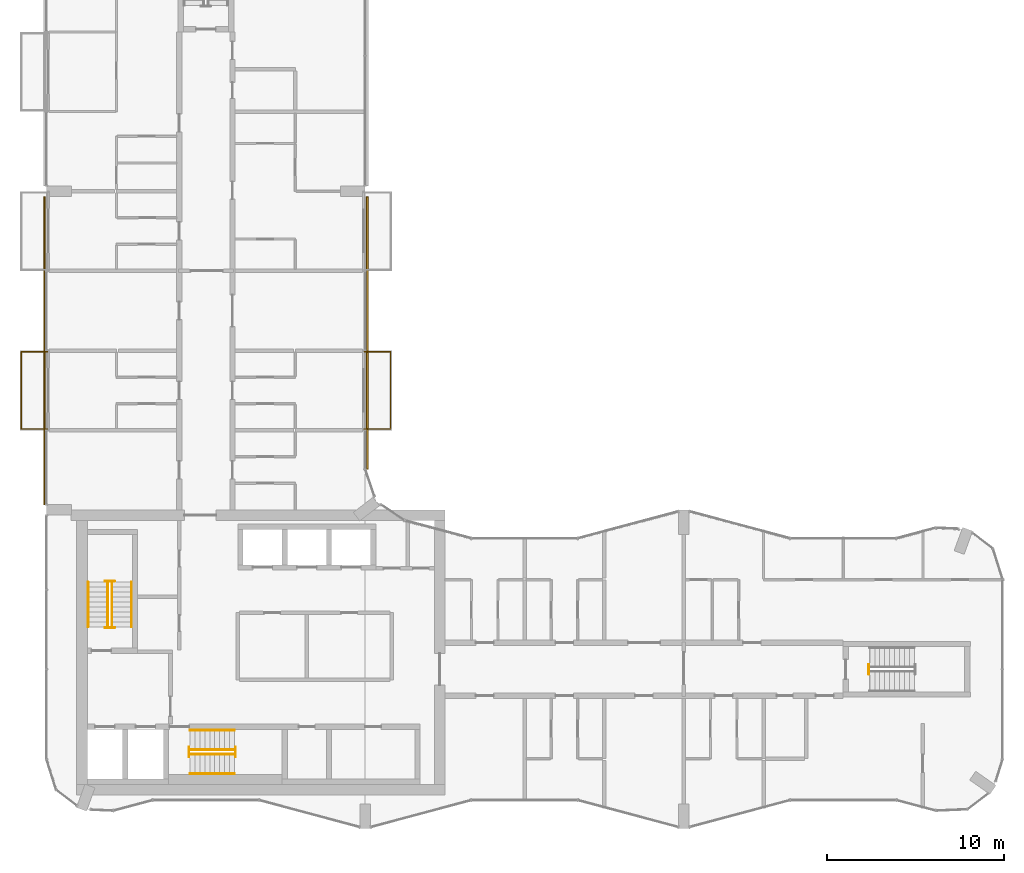
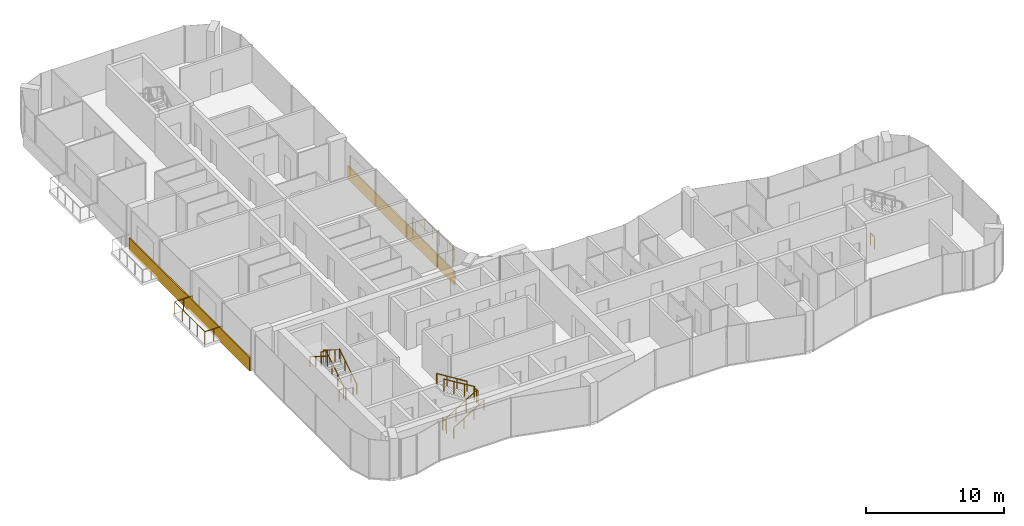
# One storey, part 14 of 16: 15 railings, 2 coverings.
"""IFC4 building model written with IfcOpenShell, lengths in metres."""

from ifc_helpers import new_model, si_unit, direction, frame, origin, origin_2d, place, context, subcontext, project, spatial, rectangle, circle, extrude, material, layer, layer_set, type_object, element, save


model = new_model("IFC4")

# Units and contexts
model_context = context("Model", 3, precision=1e-05, world=origin(), true_north=direction((0.0, 1.0)))
body_context = subcontext(model_context, "Body", "Model", "MODEL_VIEW")
ifc_project = project(units=[si_unit("LENGTHUNIT", "METRE"), si_unit("AREAUNIT", "SQUARE_METRE"), si_unit("VOLUMEUNIT", "CUBIC_METRE"), si_unit("PLANEANGLEUNIT", "RADIAN"), si_unit("MASSUNIT", "GRAM", prefix="KILO")], contexts=[model_context])

# Site, building, storey
site_placement = place(None, origin())
site = spatial("IfcSite", under=ifc_project, at=site_placement, CompositionType="ELEMENT")
building_placement = place(site_placement, origin())
building = spatial("IfcBuilding", under=site, at=building_placement, Name="Plateau Cross Towers", CompositionType="ELEMENT")
storey_placement = place(building_placement, frame((0.0, 0.0, 163.89990234375)))
storey = spatial("IfcBuildingStorey", under=building, at=storey_placement, Name="L42", CompositionType="ELEMENT", Elevation=163.89990234375)

# Railings
ifc_material_1 = material(Name="Stainless steel and toughened glass", Category="steel")
railing_type_1 = type_object("IfcRailingType", Name="Glass balustrade guard 1100", PredefinedType="GUARDRAIL", material=ifc_material_1)
railing_1_placement = place(storey_placement, frame((0.050048828125, 22.570068359375, 0.0)))
element("IfcRailing", 1, at=railing_1_placement, inside=storey, type_object=railing_type_1, Name="Guard guard1", PredefinedType="GUARDRAIL", context=body_context, shape_type="SweptSolid", body=[
    extrude(circle(Radius=0.02392578125, at=origin_2d()), frame((0.0, 0.0, 1.076171875), z_axis=(-1.0, 0.0, 0.0), x_axis=(0.0, -1.0, 0.0)), (0.0, 0.0, 1.0), 1.47998046875),
    extrude(circle(Radius=0.02392578125, at=origin_2d()), frame((-1.47998046875, 0.0, 1.076171875), z_axis=(0.0, 1.0, 0.0), x_axis=(-1.0, 0.0, 0.0)), (0.0, 0.0, 1.0), 4.35986328125),
    extrude(circle(Radius=0.02392578125, at=origin_2d()), frame((-1.47998046875, 4.35986328125, 1.076171875), z_axis=(1.0, 0.0, 0.0), x_axis=(0.0, 1.0, 0.0)), (0.0, 0.0, 1.0), 1.47998046875),
    extrude(circle(Radius=0.02099609375, at=origin_2d()), origin(), (0.0, 0.0, 1.0), 1.052001953125),
    extrude(circle(Radius=0.02099609375, at=origin_2d()), frame((-0.739990234375, 0.0, 0.0)), (0.0, 0.0, 1.0), 1.052001953125),
    extrude(circle(Radius=0.02099609375, at=origin_2d()), frame((-1.47998046875, 0.0, 0.0)), (0.0, 0.0, 1.0), 1.052001953125),
    extrude(circle(Radius=0.02099609375, at=origin_2d()), frame((-1.47998046875, 1.08984375, 0.0)), (0.0, 0.0, 1.0), 1.052001953125),
    extrude(circle(Radius=0.02099609375, at=origin_2d()), frame((-1.47998046875, 2.179931640625, 0.0)), (0.0, 0.0, 1.0), 1.052001953125),
    extrude(circle(Radius=0.02099609375, at=origin_2d()), frame((-1.47998046875, 3.27001953125, 0.0)), (0.0, 0.0, 1.0), 1.052001953125),
    extrude(circle(Radius=0.02099609375, at=origin_2d()), frame((-1.47998046875, 4.35986328125, 0.0)), (0.0, 0.0, 1.0), 1.052001953125),
    extrude(circle(Radius=0.02099609375, at=origin_2d()), frame((-0.739990234375, 4.35986328125, 0.0)), (0.0, 0.0, 1.0), 1.052001953125),
    extrude(circle(Radius=0.02099609375, at=origin_2d()), frame((0.0, 4.35986328125, 0.0)), (0.0, 0.0, 1.0), 1.052001953125),
])
railing_2_placement = place(storey_placement, frame((17.949951171875, 26.929931640625, 0.0)))
element("IfcRailing", 2, at=railing_2_placement, inside=storey, type_object=railing_type_1, Name="Guard guard1", PredefinedType="GUARDRAIL", context=body_context, shape_type="SweptSolid", body=[
    extrude(circle(Radius=0.02392578125, at=origin_2d()), frame((0.0, 0.0, 1.076171875), z_axis=(1.0, 0.0, 0.0), x_axis=(0.0, 1.0, 0.0)), (0.0, 0.0, 1.0), 1.47998046875),
    extrude(circle(Radius=0.02392578125, at=origin_2d()), frame((1.47998046875, 0.0, 1.076171875), z_axis=(0.0, -1.0, 0.0), x_axis=(1.0, 0.0, 0.0)), (0.0, 0.0, 1.0), 4.35986328125),
    extrude(circle(Radius=0.02392578125, at=origin_2d()), frame((1.47998046875, -4.35986328125, 1.076171875), z_axis=(-1.0, 0.0, 0.0), x_axis=(0.0, -1.0, 0.0)), (0.0, 0.0, 1.0), 1.47998046875),
    extrude(circle(Radius=0.02099609375, at=origin_2d()), origin(), (0.0, 0.0, 1.0), 1.052001953125),
    extrude(circle(Radius=0.02099609375, at=origin_2d()), frame((0.739990234375, 0.0, 0.0)), (0.0, 0.0, 1.0), 1.052001953125),
    extrude(circle(Radius=0.02099609375, at=origin_2d()), frame((1.47998046875, 0.0, 0.0)), (0.0, 0.0, 1.0), 1.052001953125),
    extrude(circle(Radius=0.02099609375, at=origin_2d()), frame((1.47998046875, -1.08984375, 0.0)), (0.0, 0.0, 1.0), 1.052001953125),
    extrude(circle(Radius=0.02099609375, at=origin_2d()), frame((1.47998046875, -2.179931640625, 0.0)), (0.0, 0.0, 1.0), 1.052001953125),
    extrude(circle(Radius=0.02099609375, at=origin_2d()), frame((1.47998046875, -3.27001953125, 0.0)), (0.0, 0.0, 1.0), 1.052001953125),
    extrude(circle(Radius=0.02099609375, at=origin_2d()), frame((1.47998046875, -4.35986328125, 0.0)), (0.0, 0.0, 1.0), 1.052001953125),
    extrude(circle(Radius=0.02099609375, at=origin_2d()), frame((0.739990234375, -4.35986328125, 0.0)), (0.0, 0.0, 1.0), 1.052001953125),
    extrude(circle(Radius=0.02099609375, at=origin_2d()), frame((0.0, -4.35986328125, 0.0)), (0.0, 0.0, 1.0), 1.052001953125),
])
railing_type_2 = type_object("IfcRailingType", Name="RL-GUARD-1100", PredefinedType="GUARDRAIL", material=ifc_material_1)
railing_3_placement = place(storey_placement, frame((3.699951171875, 11.39990234375, 0.175048828125)))
element("IfcRailing", 3, at=railing_3_placement, inside=storey, type_object=railing_type_2, Name="L42 ST-1 stair guard 1", PredefinedType="GUARDRAIL", context=body_context, shape_type="SweptSolid", body=[
    extrude(circle(Radius=0.02392578125, at=origin_2d()), frame((0.0, 0.0, 1.076171875), z_axis=(0.0, 0.848007534815, 0.529984170421), x_axis=(-1.0, 0.0, 0.0)), (0.0, 0.0, 1.0), 2.9716796875),
    extrude(circle(Radius=0.02099609375, at=origin_2d()), origin(), (0.0, 0.0, 1.0), 1.052001953125),
    extrude(circle(Radius=0.02099609375, at=origin_2d()), frame((0.0, 0.840087890625, 0.52490234375)), (0.0, 0.0, 1.0), 1.052001953125),
    extrude(circle(Radius=0.02099609375, at=origin_2d()), frame((0.0, 1.679931640625, 1.050048828125)), (0.0, 0.0, 1.0), 1.052001953125),
    extrude(circle(Radius=0.02099609375, at=origin_2d()), frame((0.0, 2.52001953125, 1.574951171875)), (0.0, 0.0, 1.0), 1.052001953125),
])
railing_4_placement = place(storey_placement, frame((3.85009765625, 13.969970703125, 1.75)))
element("IfcRailing", 4, at=railing_4_placement, inside=storey, type_object=railing_type_2, Name="L42 ST-1 stair guard 2", PredefinedType="GUARDRAIL", context=body_context, shape_type="SweptSolid", body=[
    extrude(circle(Radius=0.02392578125, at=origin_2d()), frame((0.0, 0.0, 1.076171875), z_axis=(-1.0, 0.0, 0.0), x_axis=(0.0, -1.0, 0.0)), (0.0, 0.0, 1.0), 0.550048828125),
    extrude(circle(Radius=0.02099609375, at=origin_2d()), origin(), (0.0, 0.0, 1.0), 1.052001953125),
    extrude(circle(Radius=0.02099609375, at=origin_2d()), frame((-0.550048828125, 0.0, 0.0)), (0.0, 0.0, 1.0), 1.052001953125),
])
railing_5_placement = place(storey_placement, frame((3.449951171875, 13.919921875, 1.925048828125)))
element("IfcRailing", 5, at=railing_5_placement, inside=storey, type_object=railing_type_2, Name="L42 ST-1 stair guard 3", PredefinedType="GUARDRAIL", context=body_context, shape_type="SweptSolid", body=[
    extrude(circle(Radius=0.02392578125, at=origin_2d()), frame((0.0, 0.0, 1.076171875), z_axis=(0.0, -0.852616386126, 0.522537365276), x_axis=(1.0, 0.0, 0.0)), (0.0, 0.0, 1.0), 3.01416015625),
    extrude(circle(Radius=0.02099609375, at=origin_2d()), origin(), (0.0, 0.0, 1.0), 1.052001953125),
    extrude(circle(Radius=0.02099609375, at=origin_2d()), frame((0.0, -0.856689453125, 0.52490234375)), (0.0, 0.0, 1.0), 1.052001953125),
    extrude(circle(Radius=0.02099609375, at=origin_2d()), frame((0.0, -1.713134765625, 1.050048828125)), (0.0, 0.0, 1.0), 1.052001953125),
    extrude(circle(Radius=0.02099609375, at=origin_2d()), frame((0.0, -2.56982421875, 1.574951171875)), (0.0, 0.0, 1.0), 1.052001953125),
])
railing_6_placement = place(storey_placement, frame((3.85009765625, 11.35009765625, 0.0)))
element("IfcRailing", 6, at=railing_6_placement, inside=storey, type_object=railing_type_2, Name="L42 ST-1 stair guard 4", PredefinedType="GUARDRAIL", context=body_context, shape_type="SweptSolid", body=[
    extrude(circle(Radius=0.02392578125, at=origin_2d()), frame((0.0, 0.0, 1.076171875), z_axis=(-1.0, 0.0, 0.0), x_axis=(0.0, -1.0, 0.0)), (0.0, 0.0, 1.0), 0.550048828125),
    extrude(circle(Radius=0.02099609375, at=origin_2d()), origin(), (0.0, 0.0, 1.0), 1.052001953125),
    extrude(circle(Radius=0.02099609375, at=origin_2d()), frame((-0.550048828125, 0.0, 0.0)), (0.0, 0.0, 1.0), 1.052001953125),
])
railing_7_placement = place(storey_placement, frame((8.10009765625, 4.199951171875, 0.175048828125)))
element("IfcRailing", 7, at=railing_7_placement, inside=storey, type_object=railing_type_2, Name="L42 ST-2 stair guard 1", PredefinedType="GUARDRAIL", context=body_context, shape_type="SweptSolid", body=[
    extrude(circle(Radius=0.02392578125, at=origin_2d()), frame((0.0, 0.0, 1.076171875), z_axis=(0.848007534815, 0.0, 0.529984170421), x_axis=(0.0, 1.0, 0.0)), (0.0, 0.0, 1.0), 2.9716796875),
    extrude(circle(Radius=0.02099609375, at=origin_2d()), origin(), (0.0, 0.0, 1.0), 1.052001953125),
    extrude(circle(Radius=0.02099609375, at=origin_2d()), frame((0.840087890625, 0.0, 0.52490234375)), (0.0, 0.0, 1.0), 1.052001953125),
    extrude(circle(Radius=0.02099609375, at=origin_2d()), frame((1.679931640625, 0.0, 1.050048828125)), (0.0, 0.0, 1.0), 1.052001953125),
    extrude(circle(Radius=0.02099609375, at=origin_2d()), frame((2.52001953125, 0.0, 1.574951171875)), (0.0, 0.0, 1.0), 1.052001953125),
])
railing_8_placement = place(storey_placement, frame((10.669921875, 4.050048828125, 1.75)))
element("IfcRailing", 8, at=railing_8_placement, inside=storey, type_object=railing_type_2, Name="L42 ST-2 stair guard 2", PredefinedType="GUARDRAIL", context=body_context, shape_type="SweptSolid", body=[
    extrude(circle(Radius=0.02392578125, at=origin_2d()), frame((0.0, 0.0, 1.076171875), z_axis=(0.0, 1.0, 0.0), x_axis=(-1.0, 0.0, 0.0)), (0.0, 0.0, 1.0), 0.550048828125),
    extrude(circle(Radius=0.02099609375, at=origin_2d()), origin(), (0.0, 0.0, 1.0), 1.052001953125),
    extrude(circle(Radius=0.02099609375, at=origin_2d()), frame((0.0, 0.550048828125, 0.0)), (0.0, 0.0, 1.0), 1.052001953125),
])
railing_9_placement = place(storey_placement, frame((10.6201171875, 4.449951171875, 1.925048828125)))
element("IfcRailing", 9, at=railing_9_placement, inside=storey, type_object=railing_type_2, Name="L42 ST-2 stair guard 3", PredefinedType="GUARDRAIL", context=body_context, shape_type="SweptSolid", body=[
    extrude(circle(Radius=0.02392578125, at=origin_2d()), frame((0.0, 0.0, 1.076171875), z_axis=(-0.852638500773, 0.0, 0.522501279423), x_axis=(0.0, -1.0, 0.0)), (0.0, 0.0, 1.0), 3.01416015625),
    extrude(circle(Radius=0.02099609375, at=origin_2d()), origin(), (0.0, 0.0, 1.0), 1.052001953125),
    extrude(circle(Radius=0.02099609375, at=origin_2d()), frame((-0.856689453125, 0.0, 0.52490234375)), (0.0, 0.0, 1.0), 1.052001953125),
    extrude(circle(Radius=0.02099609375, at=origin_2d()), frame((-1.71337890625, 0.0, 1.050048828125)), (0.0, 0.0, 1.0), 1.052001953125),
    extrude(circle(Radius=0.02099609375, at=origin_2d()), frame((-2.570068359375, 0.0, 1.574951171875)), (0.0, 0.0, 1.0), 1.052001953125),
])
railing_10_placement = place(storey_placement, frame((8.050048828125, 4.050048828125, 0.0)))
element("IfcRailing", 10, at=railing_10_placement, inside=storey, type_object=railing_type_2, Name="L42 ST-2 stair guard 4", PredefinedType="GUARDRAIL", context=body_context, shape_type="SweptSolid", body=[
    extrude(circle(Radius=0.02392578125, at=origin_2d()), frame((0.0, 0.0, 1.076171875), z_axis=(0.0, 1.0, 0.0), x_axis=(-1.0, 0.0, 0.0)), (0.0, 0.0, 1.0), 0.550048828125),
    extrude(circle(Radius=0.02099609375, at=origin_2d()), origin(), (0.0, 0.0, 1.0), 1.052001953125),
    extrude(circle(Radius=0.02099609375, at=origin_2d()), frame((0.0, 0.550048828125, 0.0)), (0.0, 0.0, 1.0), 1.052001953125),
])
railing_11_placement = place(storey_placement, frame((46.449951171875, 8.72509765625, 0.0)))
element("IfcRailing", 11, at=railing_11_placement, inside=storey, type_object=railing_type_2, Name="L42 ES-E stair guard 4", PredefinedType="GUARDRAIL", context=body_context, shape_type="SweptSolid", body=[
    extrude(circle(Radius=0.02392578125, at=origin_2d()), frame((0.0, 0.0, 1.076171875), z_axis=(0.0, 1.0, 0.0), x_axis=(-1.0, 0.0, 0.0)), (0.0, 0.0, 1.0), 0.5498046875),
    extrude(circle(Radius=0.02099609375, at=origin_2d()), origin(), (0.0, 0.0, 1.0), 1.052001953125),
    extrude(circle(Radius=0.02099609375, at=origin_2d()), frame((0.0, 0.5498046875, 0.0)), (0.0, 0.0, 1.0), 1.052001953125),
])
ifc_material_2 = material(Name="Black anodised aluminium", Category="aluminium")
railing_type_3 = type_object("IfcRailingType", Name="RL-HANDRAIL-900", PredefinedType="HANDRAIL", material=ifc_material_2)
railing_12_placement = place(storey_placement, frame((4.800048828125, 11.39990234375, 0.175048828125)))
element("IfcRailing", 12, at=railing_12_placement, inside=storey, type_object=railing_type_3, Name="L42 ST-1 stair handrail 1", PredefinedType="HANDRAIL", context=body_context, shape_type="SweptSolid", body=[
    extrude(circle(Radius=0.02392578125, at=origin_2d()), frame((0.0, 0.0, 0.8759765625), z_axis=(0.0, 0.848007534815, 0.529984170421), x_axis=(-1.0, 0.0, 0.0)), (0.0, 0.0, 1.0), 2.9716796875),
    extrude(circle(Radius=0.02099609375, at=origin_2d()), origin(), (0.0, 0.0, 1.0), 0.851806640625),
    extrude(circle(Radius=0.02099609375, at=origin_2d()), frame((0.0, 0.840087890625, 0.52490234375)), (0.0, 0.0, 1.0), 0.851806640625),
    extrude(circle(Radius=0.02099609375, at=origin_2d()), frame((0.0, 1.679931640625, 1.050048828125)), (0.0, 0.0, 1.0), 0.851806640625),
    extrude(circle(Radius=0.02099609375, at=origin_2d()), frame((0.0, 2.52001953125, 1.574951171875)), (0.0, 0.0, 1.0), 0.851806640625),
])
railing_13_placement = place(storey_placement, frame((2.35009765625, 13.919921875, 1.925048828125)))
element("IfcRailing", 13, at=railing_13_placement, inside=storey, type_object=railing_type_3, Name="L42 ST-1 stair handrail 2", PredefinedType="HANDRAIL", context=body_context, shape_type="SweptSolid", body=[
    extrude(circle(Radius=0.02392578125, at=origin_2d()), frame((0.0, 0.0, 0.8759765625), z_axis=(0.0, -0.848007534815, 0.529984170421), x_axis=(1.0, 0.0, 0.0)), (0.0, 0.0, 1.0), 2.9716796875),
    extrude(circle(Radius=0.02099609375, at=origin_2d()), origin(), (0.0, 0.0, 1.0), 0.851806640625),
    extrude(circle(Radius=0.02099609375, at=origin_2d()), frame((0.0, -0.840087890625, 0.52490234375)), (0.0, 0.0, 1.0), 0.851806640625),
    extrude(circle(Radius=0.02099609375, at=origin_2d()), frame((0.0, -1.679931640625, 1.050048828125)), (0.0, 0.0, 1.0), 0.851806640625),
    extrude(circle(Radius=0.02099609375, at=origin_2d()), frame((0.0, -2.52001953125, 1.574951171875)), (0.0, 0.0, 1.0), 0.851806640625),
])
railing_14_placement = place(storey_placement, frame((8.10009765625, 3.10009765625, 0.175048828125)))
element("IfcRailing", 14, at=railing_14_placement, inside=storey, type_object=railing_type_3, Name="L42 ST-2 stair handrail 1", PredefinedType="HANDRAIL", context=body_context, shape_type="SweptSolid", body=[
    extrude(circle(Radius=0.02392578125, at=origin_2d()), frame((0.0, 0.0, 0.8759765625), z_axis=(0.848007534815, 0.0, 0.529984170421), x_axis=(0.0, 1.0, 0.0)), (0.0, 0.0, 1.0), 2.9716796875),
    extrude(circle(Radius=0.02099609375, at=origin_2d()), origin(), (0.0, 0.0, 1.0), 0.851806640625),
    extrude(circle(Radius=0.02099609375, at=origin_2d()), frame((0.840087890625, 0.0, 0.52490234375)), (0.0, 0.0, 1.0), 0.851806640625),
    extrude(circle(Radius=0.02099609375, at=origin_2d()), frame((1.679931640625, 0.0, 1.050048828125)), (0.0, 0.0, 1.0), 0.851806640625),
    extrude(circle(Radius=0.02099609375, at=origin_2d()), frame((2.52001953125, 0.0, 1.574951171875)), (0.0, 0.0, 1.0), 0.851806640625),
])
railing_15_placement = place(storey_placement, frame((10.6201171875, 5.550048828125, 1.925048828125)))
element("IfcRailing", 15, at=railing_15_placement, inside=storey, type_object=railing_type_3, Name="L42 ST-2 stair handrail 2", PredefinedType="HANDRAIL", context=body_context, shape_type="SweptSolid", body=[
    extrude(circle(Radius=0.02392578125, at=origin_2d()), frame((0.0, 0.0, 0.8759765625), z_axis=(-0.848007534815, 0.0, 0.529984170421), x_axis=(0.0, -1.0, 0.0)), (0.0, 0.0, 1.0), 2.9716796875),
    extrude(circle(Radius=0.02099609375, at=origin_2d()), origin(), (0.0, 0.0, 1.0), 0.851806640625),
    extrude(circle(Radius=0.02099609375, at=origin_2d()), frame((-0.840087890625, 0.0, 0.52490234375)), (0.0, 0.0, 1.0), 0.851806640625),
    extrude(circle(Radius=0.02099609375, at=origin_2d()), frame((-1.679931640625, 0.0, 1.050048828125)), (0.0, 0.0, 1.0), 0.851806640625),
    extrude(circle(Radius=0.02099609375, at=origin_2d()), frame((-2.52001953125, 0.0, 1.574951171875)), (0.0, 0.0, 1.0), 0.851806640625),
])

# Coverings
ifc_material_3 = material(Name="Precast concrete cladding C40/50", Category="concrete")
ifc_layer = layer(ifc_material_3, 0.10009765625)
ifc_layer_set = layer_set([ifc_layer], Name="Precast concrete cladding C40/50")
covering_type = type_object("IfcCoveringType", Name="Spandrel band cladding 100x1200", PredefinedType="CLADDING", material=ifc_layer_set)
covering_1_placement = place(storey_placement, frame((18.1201171875, 28.001220703125, -0.25), z_axis=(0.0, 0.0, 1.0), x_axis=(0.0, 1.0, 0.0)))
element("IfcCovering", 16, at=covering_1_placement, inside=storey, type_object=covering_type, Name="Spandrel band", PredefinedType="CLADDING", context=body_context, shape_type="SweptSolid", body=[
    extrude(rectangle(XDim=15.397705078125, YDim=0.10009765625, at=origin_2d()), origin(), (0.0, 0.0, 1.0), 1.199951171875),
])
covering_2_placement = place(storey_placement, frame((-0.1201171875, 27.0, -0.25), z_axis=(0.0, 0.0, 1.0), x_axis=(0.0, -1.0, 0.0)))
element("IfcCovering", 17, at=covering_2_placement, inside=storey, type_object=covering_type, Name="Spandrel band", PredefinedType="CLADDING", context=body_context, shape_type="SweptSolid", body=[
    extrude(rectangle(XDim=17.39990234375, YDim=0.10009765625, at=origin_2d()), origin(), (0.0, 0.0, 1.0), 1.199951171875),
])

save(model, "model.ifc")
